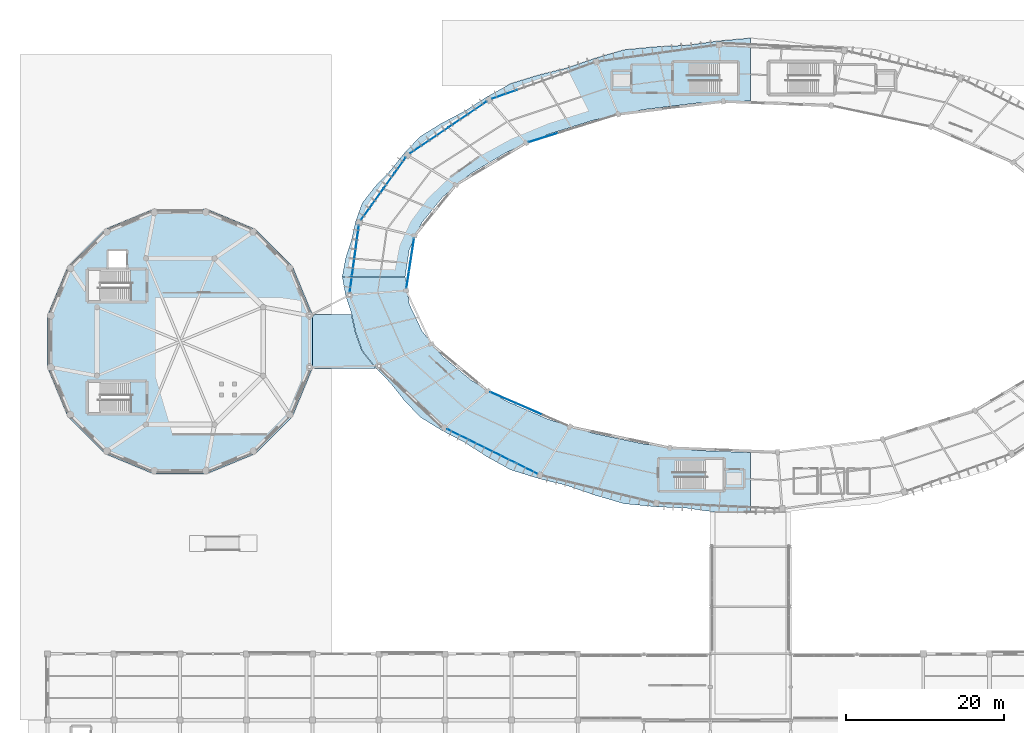
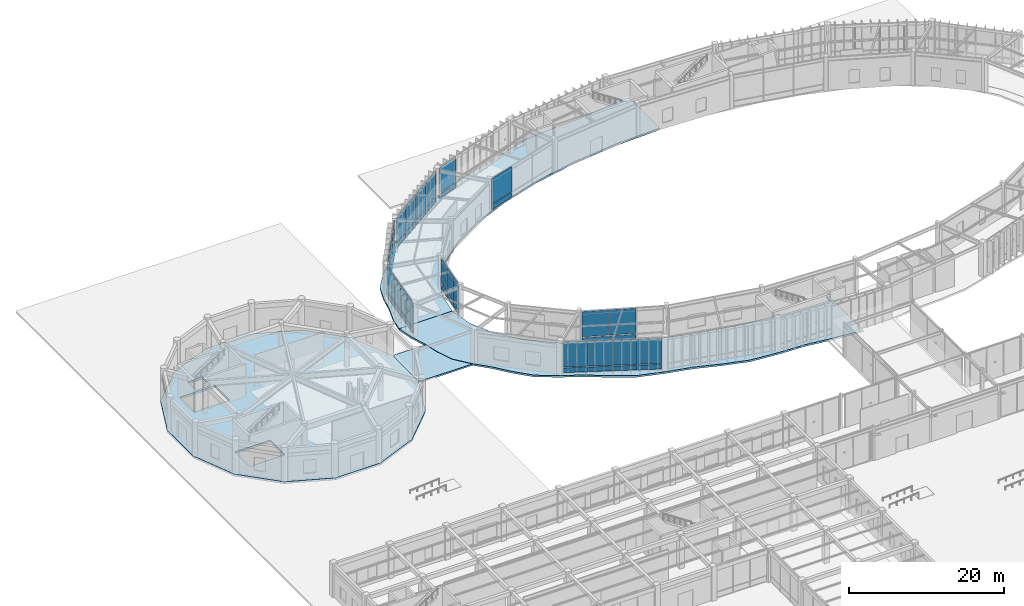
# One storey, part 114 of 157: 46 plates, 4 slabs, 8 elements without a shape of their own.
"""IFC4 building model written with IfcOpenShell, lengths in metres."""

from ifc_helpers import new_model, si_unit, direction, frame, origin, origin_2d, place, context, subcontext, project, spatial, polyline, rectangle, outline, extrude, material, layer, layer_set, type_object, element, aggregate, save


model = new_model("IFC4")

# Units and contexts
model_context = context("Model", 3, precision=1e-05, world=origin(), true_north=direction((0.0, 1.0)))
body_context = subcontext(model_context, "Body", "Model", "MODEL_VIEW")
ifc_project = project(units=[si_unit("LENGTHUNIT", "METRE"), si_unit("AREAUNIT", "SQUARE_METRE"), si_unit("VOLUMEUNIT", "CUBIC_METRE"), si_unit("PLANEANGLEUNIT", "RADIAN"), si_unit("MASSUNIT", "GRAM", prefix="KILO"), si_unit("THERMODYNAMICTEMPERATUREUNIT", "KELVIN"), si_unit("POWERUNIT", "WATT")], contexts=[model_context])

# Site, building, storey
site_placement = place(None, origin())
site = spatial("IfcSite", under=ifc_project, at=site_placement, CompositionType="ELEMENT")
building_placement = place(site_placement, origin())
building = spatial("IfcBuilding", under=site, at=building_placement, Name="Darbajah Civic Hall", CompositionType="ELEMENT")
storey_placement = place(building_placement, origin())
storey = spatial("IfcBuildingStorey", under=building, at=storey_placement, Name="L00", CompositionType="ELEMENT", Elevation=0.0)

# Curtain wall, plates
ifc_material_1 = material(Name="Anodised Bronze Aluminium and Low-E Glazing", Category="aluminium")
curtain_wall_type_1 = type_object("IfcCurtainWallType", Name="Unitised Curtain Wall CW-09 9700x5100", PredefinedType="USERDEFINED", material=ifc_material_1)
curtain_wall_1_placement = place(storey_placement, origin())
curtain_wall_1 = element("IfcCurtainWall", 1, at=curtain_wall_1_placement, inside=storey, type_object=curtain_wall_type_1, Name="L00 unitised curtain wall CW-V1O-L00-08", ObjectType="UNITISED CURTAIN WALL", PredefinedType="USERDEFINED")
ifc_material_2 = material(Name="Low-E Solar Control Double Glazing", Category="glass")
ifc_layer_1 = layer(ifc_material_2, 0.02392578125, Name="Low-E Solar Control Double Glazing")
ifc_layer_set_1 = layer_set([ifc_layer_1], Name="Low-E Solar Control Double Glazing")
plate_type_1 = type_object("IfcPlateType", Name="Solar Double Glazing 24mm", PredefinedType="CURTAIN_PANEL", material=ifc_layer_set_1)
plate_1_placement = place(storey_placement, frame((44.6875, 103.91796875, 0.10009765625), z_axis=(0.0, 0.0, 1.0), x_axis=(-0.582264874145, -0.812999149039, 0.0)))
plate_1 = element("IfcPlate", 2, at=plate_1_placement, type_object=plate_type_1, Name="CW-V1O-L00-08 glazed panel 1.1", PredefinedType="CURTAIN_PANEL", context=body_context, shape_type="SweptSolid", body=[
    extrude(rectangle(XDim=2.368408203125, YDim=0.02392578125, at=origin_2d()), origin(), (0.0, 0.0, 1.0), 0.800048828125),
])
plate_2_placement = place(storey_placement, frame((44.6875, 103.91796875, 1.0), z_axis=(0.0, 0.0, 1.0), x_axis=(-0.582264874145, -0.812999149039, 0.0)))
plate_2 = element("IfcPlate", 3, at=plate_2_placement, type_object=plate_type_1, Name="CW-V1O-L00-08 glazed panel 1.2", PredefinedType="CURTAIN_PANEL", context=body_context, shape_type="SweptSolid", body=[
    extrude(rectangle(XDim=2.368408203125, YDim=0.02392578125, at=origin_2d()), origin(), (0.0, 0.0, 1.0), 4.02001953125),
])
plate_3_placement = place(storey_placement, frame((43.270751953125, 101.939453125, 0.10009765625), z_axis=(0.0, 0.0, 1.0), x_axis=(-0.582264874145, -0.812999149039, 0.0)))
plate_3 = element("IfcPlate", 4, at=plate_3_placement, type_object=plate_type_1, Name="CW-V1O-L00-08 glazed panel 2.1", PredefinedType="CURTAIN_PANEL", context=body_context, shape_type="SweptSolid", body=[
    extrude(rectangle(XDim=2.368408203125, YDim=0.02392578125, at=origin_2d()), origin(), (0.0, 0.0, 1.0), 0.800048828125),
])
plate_4_placement = place(storey_placement, frame((43.270751953125, 101.939453125, 1.0), z_axis=(0.0, 0.0, 1.0), x_axis=(-0.582264874145, -0.812999149039, 0.0)))
plate_4 = element("IfcPlate", 5, at=plate_4_placement, type_object=plate_type_1, Name="CW-V1O-L00-08 glazed panel 2.2", PredefinedType="CURTAIN_PANEL", context=body_context, shape_type="SweptSolid", body=[
    extrude(rectangle(XDim=2.368408203125, YDim=0.02392578125, at=origin_2d()), origin(), (0.0, 0.0, 1.0), 4.02001953125),
])
plate_5_placement = place(storey_placement, frame((41.853759765625, 99.960693359375, 0.10009765625), z_axis=(0.0, 0.0, 1.0), x_axis=(-0.582264874145, -0.812999149039, 0.0)))
plate_5 = element("IfcPlate", 6, at=plate_5_placement, type_object=plate_type_1, Name="CW-V1O-L00-08 glazed panel 3.1", PredefinedType="CURTAIN_PANEL", context=body_context, shape_type="SweptSolid", body=[
    extrude(rectangle(XDim=2.368408203125, YDim=0.02392578125, at=origin_2d()), origin(), (0.0, 0.0, 1.0), 0.800048828125),
])
plate_6_placement = place(storey_placement, frame((41.853759765625, 99.960693359375, 1.0), z_axis=(0.0, 0.0, 1.0), x_axis=(-0.582264874145, -0.812999149039, 0.0)))
plate_6 = element("IfcPlate", 7, at=plate_6_placement, type_object=plate_type_1, Name="CW-V1O-L00-08 glazed panel 3.2", PredefinedType="CURTAIN_PANEL", context=body_context, shape_type="SweptSolid", body=[
    extrude(rectangle(XDim=2.368408203125, YDim=0.02392578125, at=origin_2d()), origin(), (0.0, 0.0, 1.0), 4.02001953125),
])
plate_7_placement = place(storey_placement, frame((40.43701171875, 97.982421875, 0.10009765625), z_axis=(0.0, 0.0, 1.0), x_axis=(-0.582264874145, -0.812999149039, 0.0)))
plate_7 = element("IfcPlate", 8, at=plate_7_placement, type_object=plate_type_1, Name="CW-V1O-L00-08 glazed panel 4.1", PredefinedType="CURTAIN_PANEL", context=body_context, shape_type="SweptSolid", body=[
    extrude(rectangle(XDim=2.368408203125, YDim=0.02392578125, at=origin_2d()), origin(), (0.0, 0.0, 1.0), 0.800048828125),
])
plate_8_placement = place(storey_placement, frame((40.43701171875, 97.982421875, 1.0), z_axis=(0.0, 0.0, 1.0), x_axis=(-0.582264874145, -0.812999149039, 0.0)))
plate_8 = element("IfcPlate", 9, at=plate_8_placement, type_object=plate_type_1, Name="CW-V1O-L00-08 glazed panel 4.2", PredefinedType="CURTAIN_PANEL", context=body_context, shape_type="SweptSolid", body=[
    extrude(rectangle(XDim=2.368408203125, YDim=0.02392578125, at=origin_2d()), origin(), (0.0, 0.0, 1.0), 4.02001953125),
])
aggregate(curtain_wall_1, [plate_1, plate_2, plate_3, plate_4, plate_5, plate_6, plate_7, plate_8])

curtain_wall_type_2 = type_object("IfcCurtainWallType", Name="Unitised Curtain Wall CW-07 11500x5100", PredefinedType="USERDEFINED", material=ifc_material_1)
curtain_wall_2_placement = place(storey_placement, origin())
curtain_wall_2 = element("IfcCurtainWall", 10, at=curtain_wall_2_placement, inside=storey, type_object=curtain_wall_type_2, Name="L00 unitised curtain wall CW-V1I-L00-06", ObjectType="UNITISED CURTAIN WALL", PredefinedType="USERDEFINED")
ifc_layer_2 = layer(ifc_material_2, 0.028076171875, Name="Low-E Solar Control Double Glazing")
ifc_layer_set_2 = layer_set([ifc_layer_2], Name="Low-E Solar Control Double Glazing")
plate_type_2 = type_object("IfcPlateType", Name="Solar Double Glazing 28mm", PredefinedType="CURTAIN_PANEL", material=ifc_layer_set_2)
plate_9_placement = place(storey_placement, frame((62.82568359375, 107.4345703125, 0.119873046875), z_axis=(0.0, 0.0, 1.0), x_axis=(-0.954604963513, -0.297874744877, 0.0)))
plate_9 = element("IfcPlate", 11, at=plate_9_placement, type_object=plate_type_2, Name="CW-V1I-L00-06 glazed panel 3.1", PredefinedType="CURTAIN_PANEL", context=body_context, shape_type="SweptSolid", body=[
    extrude(rectangle(XDim=3.775390625, YDim=0.028076171875, at=origin_2d()), origin(), (0.0, 0.0, 1.0), 0.77001953125),
])
plate_10_placement = place(storey_placement, frame((62.82568359375, 107.4345703125, 1.009765625), z_axis=(0.0, 0.0, 1.0), x_axis=(-0.954604963513, -0.297874744877, 0.0)))
plate_10 = element("IfcPlate", 12, at=plate_10_placement, type_object=plate_type_2, Name="CW-V1I-L00-06 glazed panel 3.2", PredefinedType="CURTAIN_PANEL", context=body_context, shape_type="SweptSolid", body=[
    extrude(rectangle(XDim=3.775390625, YDim=0.028076171875, at=origin_2d()), origin(), (0.0, 0.0, 1.0), 3.989990234375),
])
aggregate(curtain_wall_2, [plate_9, plate_10])

curtain_wall_type_3 = type_object("IfcCurtainWallType", Name="Unitised Curtain Wall CW-08 11800x5100", PredefinedType="USERDEFINED", material=ifc_material_1)
curtain_wall_3_placement = place(storey_placement, origin())
curtain_wall_3 = element("IfcCurtainWall", 13, at=curtain_wall_3_placement, inside=storey, type_object=curtain_wall_type_3, Name="L00 unitised curtain wall CW-V1O-L00-07", ObjectType="UNITISED CURTAIN WALL", PredefinedType="USERDEFINED")
plate_11_placement = place(storey_placement, frame((54.44873046875, 111.1962890625, 0.119873046875), z_axis=(0.0, 0.0, 1.0), x_axis=(-0.827962472047, -0.560783509816, 0.0)))
plate_11 = element("IfcPlate", 14, at=plate_11_placement, type_object=plate_type_2, Name="CW-V1O-L00-07 glazed panel 1.1", PredefinedType="CURTAIN_PANEL", context=body_context, shape_type="SweptSolid", body=[
    extrude(rectangle(XDim=2.870361328125, YDim=0.028076171875, at=origin_2d()), origin(), (0.0, 0.0, 1.0), 0.77001953125),
])
plate_12_placement = place(storey_placement, frame((54.44873046875, 111.1962890625, 1.009765625), z_axis=(0.0, 0.0, 1.0), x_axis=(-0.827962472047, -0.560783509816, 0.0)))
plate_12 = element("IfcPlate", 15, at=plate_12_placement, type_object=plate_type_2, Name="CW-V1O-L00-07 glazed panel 1.2", PredefinedType="CURTAIN_PANEL", context=body_context, shape_type="SweptSolid", body=[
    extrude(rectangle(XDim=2.870361328125, YDim=0.028076171875, at=origin_2d()), origin(), (0.0, 0.0, 1.0), 3.989990234375),
])
plate_13_placement = place(storey_placement, frame((52.013916015625, 109.54736328125, 0.119873046875), z_axis=(0.0, 0.0, 1.0), x_axis=(-0.827962472047, -0.560783509816, 0.0)))
plate_13 = element("IfcPlate", 16, at=plate_13_placement, type_object=plate_type_2, Name="CW-V1O-L00-07 glazed panel 2.1", PredefinedType="CURTAIN_PANEL", context=body_context, shape_type="SweptSolid", body=[
    extrude(rectangle(XDim=2.870361328125, YDim=0.028076171875, at=origin_2d()), origin(), (0.0, 0.0, 1.0), 0.77001953125),
])
plate_14_placement = place(storey_placement, frame((52.013916015625, 109.54736328125, 1.009765625), z_axis=(0.0, 0.0, 1.0), x_axis=(-0.827962472047, -0.560783509816, 0.0)))
plate_14 = element("IfcPlate", 17, at=plate_14_placement, type_object=plate_type_2, Name="CW-V1O-L00-07 glazed panel 2.2", PredefinedType="CURTAIN_PANEL", context=body_context, shape_type="SweptSolid", body=[
    extrude(rectangle(XDim=2.870361328125, YDim=0.028076171875, at=origin_2d()), origin(), (0.0, 0.0, 1.0), 3.989990234375),
])
plate_15_placement = place(storey_placement, frame((49.57958984375, 107.8984375, 0.119873046875), z_axis=(0.0, 0.0, 1.0), x_axis=(-0.827962472047, -0.560783509816, 0.0)))
plate_15 = element("IfcPlate", 18, at=plate_15_placement, type_object=plate_type_2, Name="CW-V1O-L00-07 glazed panel 3.1", PredefinedType="CURTAIN_PANEL", context=body_context, shape_type="SweptSolid", body=[
    extrude(rectangle(XDim=2.870361328125, YDim=0.028076171875, at=origin_2d()), origin(), (0.0, 0.0, 1.0), 0.77001953125),
])
plate_16_placement = place(storey_placement, frame((49.57958984375, 107.8984375, 1.009765625), z_axis=(0.0, 0.0, 1.0), x_axis=(-0.827962472047, -0.560783509816, 0.0)))
plate_16 = element("IfcPlate", 19, at=plate_16_placement, type_object=plate_type_2, Name="CW-V1O-L00-07 glazed panel 3.2", PredefinedType="CURTAIN_PANEL", context=body_context, shape_type="SweptSolid", body=[
    extrude(rectangle(XDim=2.870361328125, YDim=0.028076171875, at=origin_2d()), origin(), (0.0, 0.0, 1.0), 3.989990234375),
])
plate_17_placement = place(storey_placement, frame((47.144775390625, 106.24951171875, 0.119873046875), z_axis=(0.0, 0.0, 1.0), x_axis=(-0.827962472047, -0.560783509816, 0.0)))
plate_17 = element("IfcPlate", 20, at=plate_17_placement, type_object=plate_type_2, Name="CW-V1O-L00-07 glazed panel 4.1", PredefinedType="CURTAIN_PANEL", context=body_context, shape_type="SweptSolid", body=[
    extrude(rectangle(XDim=2.870361328125, YDim=0.028076171875, at=origin_2d()), origin(), (0.0, 0.0, 1.0), 0.77001953125),
])
plate_18_placement = place(storey_placement, frame((47.144775390625, 106.24951171875, 1.009765625), z_axis=(0.0, 0.0, 1.0), x_axis=(-0.827962472047, -0.560783509816, 0.0)))
plate_18 = element("IfcPlate", 21, at=plate_18_placement, type_object=plate_type_2, Name="CW-V1O-L00-07 glazed panel 4.2", PredefinedType="CURTAIN_PANEL", context=body_context, shape_type="SweptSolid", body=[
    extrude(rectangle(XDim=2.870361328125, YDim=0.028076171875, at=origin_2d()), origin(), (0.0, 0.0, 1.0), 3.989990234375),
])
aggregate(curtain_wall_3, [plate_11, plate_12, plate_13, plate_14, plate_15, plate_16, plate_17, plate_18])

curtain_wall_type_4 = type_object("IfcCurtainWallType", Name="Unitised Curtain Wall CW-11 6300x5100", PredefinedType="USERDEFINED", material=ifc_material_1)
curtain_wall_4_placement = place(storey_placement, origin())
curtain_wall_4 = element("IfcCurtainWall", 22, at=curtain_wall_4_placement, inside=storey, type_object=curtain_wall_type_4, Name="L00 unitised curtain wall CW-V1I-L00-09", ObjectType="UNITISED CURTAIN WALL", PredefinedType="USERDEFINED")
plate_19_placement = place(storey_placement, frame((46.295166015625, 93.614501953125, 0.119873046875), z_axis=(0.0, 0.0, 1.0), x_axis=(-0.152813355565, -0.98825506746, 0.0)))
plate_19 = element("IfcPlate", 23, at=plate_19_placement, type_object=plate_type_2, Name="CW-V1I-L00-09 glazed panel 1.1", PredefinedType="CURTAIN_PANEL", context=body_context, shape_type="SweptSolid", body=[
    extrude(rectangle(XDim=2.041259765625, YDim=0.028076171875, at=origin_2d()), origin(), (0.0, 0.0, 1.0), 0.77001953125),
])
plate_20_placement = place(storey_placement, frame((46.295166015625, 93.614501953125, 1.009765625), z_axis=(0.0, 0.0, 1.0), x_axis=(-0.152813355565, -0.98825506746, 0.0)))
plate_20 = element("IfcPlate", 24, at=plate_20_placement, type_object=plate_type_2, Name="CW-V1I-L00-09 glazed panel 1.2", PredefinedType="CURTAIN_PANEL", context=body_context, shape_type="SweptSolid", body=[
    extrude(rectangle(XDim=2.041259765625, YDim=0.028076171875, at=origin_2d()), origin(), (0.0, 0.0, 1.0), 3.989990234375),
])
plate_21_placement = place(storey_placement, frame((45.97265625, 91.528076171875, 0.119873046875), z_axis=(0.0, 0.0, 1.0), x_axis=(-0.152813355565, -0.98825506746, 0.0)))
plate_21 = element("IfcPlate", 25, at=plate_21_placement, type_object=plate_type_2, Name="CW-V1I-L00-09 glazed panel 2.1", PredefinedType="CURTAIN_PANEL", context=body_context, shape_type="SweptSolid", body=[
    extrude(rectangle(XDim=2.041259765625, YDim=0.028076171875, at=origin_2d()), origin(), (0.0, 0.0, 1.0), 0.77001953125),
])
plate_22_placement = place(storey_placement, frame((45.97265625, 91.528076171875, 1.009765625), z_axis=(0.0, 0.0, 1.0), x_axis=(-0.152813355565, -0.98825506746, 0.0)))
plate_22 = element("IfcPlate", 26, at=plate_22_placement, type_object=plate_type_2, Name="CW-V1I-L00-09 glazed panel 2.2", PredefinedType="CURTAIN_PANEL", context=body_context, shape_type="SweptSolid", body=[
    extrude(rectangle(XDim=2.041259765625, YDim=0.028076171875, at=origin_2d()), origin(), (0.0, 0.0, 1.0), 3.989990234375),
])
plate_23_placement = place(storey_placement, frame((45.650146484375, 89.441650390625, 0.119873046875), z_axis=(0.0, 0.0, 1.0), x_axis=(-0.152813355565, -0.98825506746, 0.0)))
plate_23 = element("IfcPlate", 27, at=plate_23_placement, type_object=plate_type_2, Name="CW-V1I-L00-09 glazed panel 3.1", PredefinedType="CURTAIN_PANEL", context=body_context, shape_type="SweptSolid", body=[
    extrude(rectangle(XDim=2.041259765625, YDim=0.028076171875, at=origin_2d()), origin(), (0.0, 0.0, 1.0), 0.77001953125),
])
plate_24_placement = place(storey_placement, frame((45.650146484375, 89.441650390625, 1.009765625), z_axis=(0.0, 0.0, 1.0), x_axis=(-0.152813355565, -0.98825506746, 0.0)))
plate_24 = element("IfcPlate", 28, at=plate_24_placement, type_object=plate_type_2, Name="CW-V1I-L00-09 glazed panel 3.2", PredefinedType="CURTAIN_PANEL", context=body_context, shape_type="SweptSolid", body=[
    extrude(rectangle(XDim=2.041259765625, YDim=0.028076171875, at=origin_2d()), origin(), (0.0, 0.0, 1.0), 3.989990234375),
])
aggregate(curtain_wall_4, [plate_19, plate_20, plate_21, plate_22, plate_23, plate_24])

curtain_wall_type_5 = type_object("IfcCurtainWallType", Name="Unitised Curtain Wall CW-01 10700x5100", PredefinedType="USERDEFINED", material=ifc_material_1)
curtain_wall_5_placement = place(storey_placement, origin())
curtain_wall_5 = element("IfcCurtainWall", 29, at=curtain_wall_5_placement, inside=storey, type_object=curtain_wall_type_5, Name="L00 unitised curtain wall CW-V1I-L00-12", ObjectType="UNITISED CURTAIN WALL", PredefinedType="USERDEFINED")
plate_25_placement = place(storey_placement, frame((57.74609375, 74.468505859375, 0.119873046875), z_axis=(0.0, 0.0, 1.0), x_axis=(0.917060074385, -0.398749068925, 0.0)))
plate_25 = element("IfcPlate", 30, at=plate_25_placement, type_object=plate_type_2, Name="CW-V1I-L00-12 glazed panel 1.1", PredefinedType="CURTAIN_PANEL", context=body_context, shape_type="SweptSolid", body=[
    extrude(rectangle(XDim=3.48291015625, YDim=0.028076171875, at=origin_2d()), origin(), (0.0, 0.0, 1.0), 0.77001953125),
])
plate_26_placement = place(storey_placement, frame((57.74609375, 74.468505859375, 1.009765625), z_axis=(0.0, 0.0, 1.0), x_axis=(0.917060074385, -0.398749068925, 0.0)))
plate_26 = element("IfcPlate", 31, at=plate_26_placement, type_object=plate_type_2, Name="CW-V1I-L00-12 glazed panel 1.2", PredefinedType="CURTAIN_PANEL", context=body_context, shape_type="SweptSolid", body=[
    extrude(rectangle(XDim=3.48291015625, YDim=0.028076171875, at=origin_2d()), origin(), (0.0, 0.0, 1.0), 3.989990234375),
])
plate_27_placement = place(storey_placement, frame((61.00439453125, 73.0517578125, 0.119873046875), z_axis=(0.0, 0.0, 1.0), x_axis=(0.917060074385, -0.398749068925, 0.0)))
plate_27 = element("IfcPlate", 32, at=plate_27_placement, type_object=plate_type_2, Name="CW-V1I-L00-12 glazed panel 2.1", PredefinedType="CURTAIN_PANEL", context=body_context, shape_type="SweptSolid", body=[
    extrude(rectangle(XDim=3.48291015625, YDim=0.028076171875, at=origin_2d()), origin(), (0.0, 0.0, 1.0), 0.77001953125),
])
plate_28_placement = place(storey_placement, frame((61.00439453125, 73.0517578125, 1.009765625), z_axis=(0.0, 0.0, 1.0), x_axis=(0.917060074385, -0.398749068925, 0.0)))
plate_28 = element("IfcPlate", 33, at=plate_28_placement, type_object=plate_type_2, Name="CW-V1I-L00-12 glazed panel 2.2", PredefinedType="CURTAIN_PANEL", context=body_context, shape_type="SweptSolid", body=[
    extrude(rectangle(XDim=3.48291015625, YDim=0.028076171875, at=origin_2d()), origin(), (0.0, 0.0, 1.0), 3.989990234375),
])
aggregate(curtain_wall_5, [plate_25, plate_26, plate_27, plate_28])

curtain_wall_type_6 = type_object("IfcCurtainWallType", Name="Unitised Curtain Wall CW-06 13700x5100", PredefinedType="USERDEFINED", material=ifc_material_1)
curtain_wall_6_placement = place(storey_placement, origin())
curtain_wall_6 = element("IfcCurtainWall", 34, at=curtain_wall_6_placement, inside=storey, type_object=curtain_wall_type_6, Name="L00 unitised curtain wall CW-V1O-L00-06", ObjectType="UNITISED CURTAIN WALL", PredefinedType="USERDEFINED")
ifc_layer_3 = layer(ifc_material_2, 0.031982421875, Name="Low-E Solar Control Double Glazing")
ifc_layer_set_3 = layer_set([ifc_layer_3], Name="Low-E Solar Control Double Glazing")
plate_type_3 = type_object("IfcPlateType", Name="Solar Double Glazing 32mm", PredefinedType="CURTAIN_PANEL", material=ifc_layer_set_3)
plate_29_placement = place(storey_placement, frame((57.9453125, 112.92919921875, 0.14013671875), z_axis=(0.0, 0.0, 1.0), x_axis=(-0.94252491309, -0.334135882844, 0.0)))
plate_29 = element("IfcPlate", 35, at=plate_29_placement, type_object=plate_type_3, Name="CW-V1O-L00-06 glazed panel 4.1", PredefinedType="CURTAIN_PANEL", context=body_context, shape_type="SweptSolid", body=[
    extrude(rectangle(XDim=3.34521484375, YDim=0.031982421875, at=origin_2d()), origin(), (0.0, 0.0, 1.0), 0.739990234375),
])
plate_30_placement = place(storey_placement, frame((57.9453125, 112.92919921875, 1.02001953125), z_axis=(0.0, 0.0, 1.0), x_axis=(-0.94252491309, -0.334135882844, 0.0)))
plate_30 = element("IfcPlate", 36, at=plate_30_placement, type_object=plate_type_3, Name="CW-V1O-L00-06 glazed panel 4.2", PredefinedType="CURTAIN_PANEL", context=body_context, shape_type="SweptSolid", body=[
    extrude(rectangle(XDim=3.34521484375, YDim=0.031982421875, at=origin_2d()), origin(), (0.0, 0.0, 1.0), 3.9599609375),
])
aggregate(curtain_wall_6, [plate_29, plate_30])

curtain_wall_type_7 = type_object("IfcCurtainWallType", Name="Unitised Curtain Wall CW-10 8500x5100", PredefinedType="USERDEFINED", material=ifc_material_1)
curtain_wall_7_placement = place(storey_placement, origin())
curtain_wall_7 = element("IfcCurtainWall", 37, at=curtain_wall_7_placement, inside=storey, type_object=curtain_wall_type_7, Name="L00 unitised curtain wall CW-V1O-L00-09", ObjectType="UNITISED CURTAIN WALL", PredefinedType="USERDEFINED")
plate_31_placement = place(storey_placement, frame((39.314453125, 95.256103515625, 0.14013671875), z_axis=(0.0, 0.0, 1.0), x_axis=(-0.134850930274, -0.990865897387, 0.0)))
plate_31 = element("IfcPlate", 38, at=plate_31_placement, type_object=plate_type_3, Name="CW-V1O-L00-09 glazed panel 1.1", PredefinedType="CURTAIN_PANEL", context=body_context, shape_type="SweptSolid", body=[
    extrude(rectangle(XDim=2.05810546875, YDim=0.031982421875, at=origin_2d()), origin(), (0.0, 0.0, 1.0), 0.739990234375),
])
plate_32_placement = place(storey_placement, frame((39.314453125, 95.256103515625, 1.02001953125), z_axis=(0.0, 0.0, 1.0), x_axis=(-0.134850930274, -0.990865897387, 0.0)))
plate_32 = element("IfcPlate", 39, at=plate_32_placement, type_object=plate_type_3, Name="CW-V1O-L00-09 glazed panel 1.2", PredefinedType="CURTAIN_PANEL", context=body_context, shape_type="SweptSolid", body=[
    extrude(rectangle(XDim=2.05810546875, YDim=0.031982421875, at=origin_2d()), origin(), (0.0, 0.0, 1.0), 3.9599609375),
])
plate_33_placement = place(storey_placement, frame((39.02685546875, 93.142822265625, 0.14013671875), z_axis=(0.0, 0.0, 1.0), x_axis=(-0.134850930274, -0.990865897387, 0.0)))
plate_33 = element("IfcPlate", 40, at=plate_33_placement, type_object=plate_type_3, Name="CW-V1O-L00-09 glazed panel 2.1", PredefinedType="CURTAIN_PANEL", context=body_context, shape_type="SweptSolid", body=[
    extrude(rectangle(XDim=2.05810546875, YDim=0.031982421875, at=origin_2d()), origin(), (0.0, 0.0, 1.0), 0.739990234375),
])
plate_34_placement = place(storey_placement, frame((39.02685546875, 93.142822265625, 1.02001953125), z_axis=(0.0, 0.0, 1.0), x_axis=(-0.134850930274, -0.990865897387, 0.0)))
plate_34 = element("IfcPlate", 41, at=plate_34_placement, type_object=plate_type_3, Name="CW-V1O-L00-09 glazed panel 2.2", PredefinedType="CURTAIN_PANEL", context=body_context, shape_type="SweptSolid", body=[
    extrude(rectangle(XDim=2.05810546875, YDim=0.031982421875, at=origin_2d()), origin(), (0.0, 0.0, 1.0), 3.9599609375),
])
plate_35_placement = place(storey_placement, frame((38.739501953125, 91.029296875, 0.14013671875), z_axis=(0.0, 0.0, 1.0), x_axis=(-0.134850930274, -0.990865897387, 0.0)))
plate_35 = element("IfcPlate", 42, at=plate_35_placement, type_object=plate_type_3, Name="CW-V1O-L00-09 glazed panel 3.1", PredefinedType="CURTAIN_PANEL", context=body_context, shape_type="SweptSolid", body=[
    extrude(rectangle(XDim=2.05810546875, YDim=0.031982421875, at=origin_2d()), origin(), (0.0, 0.0, 1.0), 0.739990234375),
])
plate_36_placement = place(storey_placement, frame((38.739501953125, 91.029296875, 1.02001953125), z_axis=(0.0, 0.0, 1.0), x_axis=(-0.134850930274, -0.990865897387, 0.0)))
plate_36 = element("IfcPlate", 43, at=plate_36_placement, type_object=plate_type_3, Name="CW-V1O-L00-09 glazed panel 3.2", PredefinedType="CURTAIN_PANEL", context=body_context, shape_type="SweptSolid", body=[
    extrude(rectangle(XDim=2.05810546875, YDim=0.031982421875, at=origin_2d()), origin(), (0.0, 0.0, 1.0), 3.9599609375),
])
plate_37_placement = place(storey_placement, frame((38.451904296875, 88.916015625, 0.14013671875), z_axis=(0.0, 0.0, 1.0), x_axis=(-0.134850930274, -0.990865897387, 0.0)))
plate_37 = element("IfcPlate", 44, at=plate_37_placement, type_object=plate_type_3, Name="CW-V1O-L00-09 glazed panel 4.1", PredefinedType="CURTAIN_PANEL", context=body_context, shape_type="SweptSolid", body=[
    extrude(rectangle(XDim=2.05810546875, YDim=0.031982421875, at=origin_2d()), origin(), (0.0, 0.0, 1.0), 0.739990234375),
])
plate_38_placement = place(storey_placement, frame((38.451904296875, 88.916015625, 1.02001953125), z_axis=(0.0, 0.0, 1.0), x_axis=(-0.134850930274, -0.990865897387, 0.0)))
plate_38 = element("IfcPlate", 45, at=plate_38_placement, type_object=plate_type_3, Name="CW-V1O-L00-09 glazed panel 4.2", PredefinedType="CURTAIN_PANEL", context=body_context, shape_type="SweptSolid", body=[
    extrude(rectangle(XDim=2.05810546875, YDim=0.031982421875, at=origin_2d()), origin(), (0.0, 0.0, 1.0), 3.9599609375),
])
aggregate(curtain_wall_7, [plate_31, plate_32, plate_33, plate_34, plate_35, plate_36, plate_37, plate_38])

curtain_wall_type_8 = type_object("IfcCurtainWallType", Name="Unitised Curtain Wall CW-12 12800x5100", PredefinedType="USERDEFINED", material=ifc_material_1)
curtain_wall_8_placement = place(storey_placement, origin())
curtain_wall_8 = element("IfcCurtainWall", 46, at=curtain_wall_8_placement, inside=storey, type_object=curtain_wall_type_8, Name="L00 unitised curtain wall CW-V1O-L00-12", ObjectType="UNITISED CURTAIN WALL", PredefinedType="USERDEFINED")
plate_39_placement = place(storey_placement, frame((52.08935546875, 69.766845703125, 0.14013671875), z_axis=(0.0, 0.0, 1.0), x_axis=(0.89656374724, -0.442914717678, 0.0)))
plate_39 = element("IfcPlate", 47, at=plate_39_placement, type_object=plate_type_3, Name="CW-V1O-L00-12 glazed panel 1.1", PredefinedType="CURTAIN_PANEL", context=body_context, shape_type="SweptSolid", body=[
    extrude(rectangle(XDim=3.119873046875, YDim=0.031982421875, at=origin_2d()), origin(), (0.0, 0.0, 1.0), 0.739990234375),
])
plate_40_placement = place(storey_placement, frame((52.08935546875, 69.766845703125, 1.02001953125), z_axis=(0.0, 0.0, 1.0), x_axis=(0.89656374724, -0.442914717678, 0.0)))
plate_40 = element("IfcPlate", 48, at=plate_40_placement, type_object=plate_type_3, Name="CW-V1O-L00-12 glazed panel 1.2", PredefinedType="CURTAIN_PANEL", context=body_context, shape_type="SweptSolid", body=[
    extrude(rectangle(XDim=3.119873046875, YDim=0.031982421875, at=origin_2d()), origin(), (0.0, 0.0, 1.0), 3.9599609375),
])
plate_41_placement = place(storey_placement, frame((54.95361328125, 68.351806640625, 0.14013671875), z_axis=(0.0, 0.0, 1.0), x_axis=(0.89656374724, -0.442914717678, 0.0)))
plate_41 = element("IfcPlate", 49, at=plate_41_placement, type_object=plate_type_3, Name="CW-V1O-L00-12 glazed panel 2.1", PredefinedType="CURTAIN_PANEL", context=body_context, shape_type="SweptSolid", body=[
    extrude(rectangle(XDim=3.119873046875, YDim=0.031982421875, at=origin_2d()), origin(), (0.0, 0.0, 1.0), 0.739990234375),
])
plate_42_placement = place(storey_placement, frame((54.95361328125, 68.351806640625, 1.02001953125), z_axis=(0.0, 0.0, 1.0), x_axis=(0.89656374724, -0.442914717678, 0.0)))
plate_42 = element("IfcPlate", 50, at=plate_42_placement, type_object=plate_type_3, Name="CW-V1O-L00-12 glazed panel 2.2", PredefinedType="CURTAIN_PANEL", context=body_context, shape_type="SweptSolid", body=[
    extrude(rectangle(XDim=3.119873046875, YDim=0.031982421875, at=origin_2d()), origin(), (0.0, 0.0, 1.0), 3.9599609375),
])
plate_43_placement = place(storey_placement, frame((57.818115234375, 66.936767578125, 0.14013671875), z_axis=(0.0, 0.0, 1.0), x_axis=(0.89656374724, -0.442914717678, 0.0)))
plate_43 = element("IfcPlate", 51, at=plate_43_placement, type_object=plate_type_3, Name="CW-V1O-L00-12 glazed panel 3.1", PredefinedType="CURTAIN_PANEL", context=body_context, shape_type="SweptSolid", body=[
    extrude(rectangle(XDim=3.119873046875, YDim=0.031982421875, at=origin_2d()), origin(), (0.0, 0.0, 1.0), 0.739990234375),
])
plate_44_placement = place(storey_placement, frame((57.818115234375, 66.936767578125, 1.02001953125), z_axis=(0.0, 0.0, 1.0), x_axis=(0.89656374724, -0.442914717678, 0.0)))
plate_44 = element("IfcPlate", 52, at=plate_44_placement, type_object=plate_type_3, Name="CW-V1O-L00-12 glazed panel 3.2", PredefinedType="CURTAIN_PANEL", context=body_context, shape_type="SweptSolid", body=[
    extrude(rectangle(XDim=3.119873046875, YDim=0.031982421875, at=origin_2d()), origin(), (0.0, 0.0, 1.0), 3.9599609375),
])
plate_45_placement = place(storey_placement, frame((60.6826171875, 65.521484375, 0.14013671875), z_axis=(0.0, 0.0, 1.0), x_axis=(0.89656374724, -0.442914717678, 0.0)))
plate_45 = element("IfcPlate", 53, at=plate_45_placement, type_object=plate_type_3, Name="CW-V1O-L00-12 glazed panel 4.1", PredefinedType="CURTAIN_PANEL", context=body_context, shape_type="SweptSolid", body=[
    extrude(rectangle(XDim=3.119873046875, YDim=0.031982421875, at=origin_2d()), origin(), (0.0, 0.0, 1.0), 0.739990234375),
])
plate_46_placement = place(storey_placement, frame((60.6826171875, 65.521484375, 1.02001953125), z_axis=(0.0, 0.0, 1.0), x_axis=(0.89656374724, -0.442914717678, 0.0)))
plate_46 = element("IfcPlate", 54, at=plate_46_placement, type_object=plate_type_3, Name="CW-V1O-L00-12 glazed panel 4.2", PredefinedType="CURTAIN_PANEL", context=body_context, shape_type="SweptSolid", body=[
    extrude(rectangle(XDim=3.119873046875, YDim=0.031982421875, at=origin_2d()), origin(), (0.0, 0.0, 1.0), 3.9599609375),
])
aggregate(curtain_wall_8, [plate_39, plate_40, plate_41, plate_42, plate_43, plate_44, plate_45, plate_46])

# Slabs
ifc_material_3 = material(Name="Concrete C45/55", Category="concrete")
ifc_layer_4 = layer(ifc_material_3, 0.239990234375, Name="Concrete C45/55")
ifc_layer_set_4 = layer_set([ifc_layer_4], Name="Concrete C45/55")
slab_type_1 = type_object("IfcSlabType", Name="Structural Floor Slab 240mm", PredefinedType="FLOOR", material=ifc_layer_set_4)
slab_1_placement = place(storey_placement, frame((0.0, 0.0, -0.239990234375)))
element("IfcSlab", 55, at=slab_1_placement, inside=storey, type_object=slab_type_1, Name="L00 Screened Link Walk W floor slab", PredefinedType="FLOOR", context=body_context, shape_type="SweptSolid", body=[
    extrude(outline(polyline([(41.550048828125, 78.199951171875), (33.85009765625, 78.199951171875), (33.60009765625, 78.449951171875), (33.60009765625, 84.75), (33.85009765625, 85.0), (38.505859375, 85.0), (38.99365234375, 82.79052734375), (38.995361328125, 82.784423828125), (39.8330078125, 80.4345703125), (39.8349609375, 80.4296875), (39.83740234375, 80.4248046875), (39.840576171875, 80.42041015625), (41.499267578125, 78.29638671875), (41.502685546875, 78.29248046875), (41.5712890625, 78.22119140625), (41.550048828125, 78.199951171875)])), origin(), (0.0, 0.0, 1.0), 0.239990234375),
])
ifc_layer_5 = layer(ifc_material_3, 0.280029296875, Name="Concrete C45/55")
ifc_layer_set_5 = layer_set([ifc_layer_5], Name="Concrete C45/55")
slab_type_2 = type_object("IfcSlabType", Name="Structural Floor Slab 280mm", PredefinedType="FLOOR", material=ifc_layer_set_5)
slab_2_placement = place(storey_placement, frame((0.0, 0.0, -0.280029296875)))
element("IfcSlab", 56, at=slab_2_placement, inside=storey, type_object=slab_type_2, Name="L00 Oval Administration Ring NW floor slab", PredefinedType="FLOOR", context=body_context, shape_type="SweptSolid", body=[
    extrude(outline(polyline([(89.10009765625, 120.052978515625), (85.060791015625, 119.6875), (81.089599609375, 119.141357421875), (77.082275390625, 118.95166015625), (73.107421875, 118.572265625), (69.3994140625, 117.497802734375), (65.8525390625, 116.26904296875), (62.201904296875, 115.3623046875), (58.680419921875, 114.275146484375), (55.66650390625, 112.596923828125), (52.89111328125, 110.805908203125), (49.954345703125, 109.2705078125), (47.23095703125, 107.582275390625), (45.2060546875, 105.464599609375), (43.47412109375, 103.28662109375), (41.538818359375, 101.272705078125), (39.8798828125, 99.148681640625), (39.04248046875, 96.798583984375), (38.5234375, 94.447265625), (37.77880859375, 92.152099609375), (37.346923828125, 89.800048828125), (45.320068359375, 89.800048828125), (45.85888671875, 93.285400390625), (47.462646484375, 96.684814453125), (50.091796875, 99.914794921875), (53.68115234375, 102.89599609375), (58.142822265625, 105.55419921875), (63.36669921875, 107.824951171875), (69.224365234375, 109.651611328125), (75.5712890625, 110.989501953125), (82.251220703125, 111.8056640625), (89.10009765625, 112.080078125), (89.10009765625, 120.052978515625)])), origin(), (0.0, 0.0, 1.0), 0.280029296875),
])
slab_3_placement = place(storey_placement, frame((0.0, 0.0, -0.280029296875)))
element("IfcSlab", 57, at=slab_3_placement, inside=storey, type_object=slab_type_2, Name="L00 Oval Administration Ring SW floor slab", PredefinedType="FLOOR", context=body_context, shape_type="SweptSolid", body=[
    extrude(outline(polyline([(37.346923828125, 89.800048828125), (37.77880859375, 87.44775390625), (38.5234375, 85.15283203125), (39.04248046875, 82.80126953125), (39.8798828125, 80.451416015625), (41.538818359375, 78.3271484375), (43.47412109375, 76.313232421875), (45.2060546875, 74.135498046875), (47.23095703125, 72.017578125), (49.954345703125, 70.32958984375), (52.89111328125, 68.7939453125), (55.66650390625, 67.0029296875), (58.680419921875, 65.32470703125), (62.201904296875, 64.23779296875), (65.8525390625, 63.330810546875), (69.3994140625, 62.10205078125), (73.107421875, 61.027587890625), (77.082275390625, 60.648193359375), (81.089599609375, 60.458740234375), (85.060791015625, 59.912353515625), (89.10009765625, 59.547119140625), (89.10009765625, 67.52001953125), (82.251220703125, 67.794189453125), (75.5712890625, 68.610595703125), (69.224365234375, 69.948486328125), (63.36669921875, 71.775146484375), (58.142822265625, 74.045654296875), (53.68115234375, 76.7041015625), (50.091796875, 79.68505859375), (47.462646484375, 82.9150390625), (45.85888671875, 86.314697265625), (45.320068359375, 89.800048828125), (37.346923828125, 89.800048828125)])), origin(), (0.0, 0.0, 1.0), 0.280029296875),
])
ifc_layer_6 = layer(ifc_material_3, 0.320068359375, Name="Concrete C45/55")
ifc_layer_set_6 = layer_set([ifc_layer_6], Name="Concrete C45/55")
slab_type_3 = type_object("IfcSlabType", Name="Structural Floor Slab 320mm", PredefinedType="FLOOR", material=ifc_layer_set_6)
slab_4_placement = place(storey_placement, frame((0.0, 0.0, -0.320068359375)))
element("IfcSlab", 58, at=slab_4_placement, inside=storey, type_object=slab_type_3, Name="L00 Council Chamber drum floor slab", PredefinedType="FLOOR", context=body_context, shape_type="SweptSolid", body=[
    extrude(outline(polyline([(33.60009765625, 84.941650390625), (31.04248046875, 91.116455078125), (26.31640625, 95.84228515625), (20.1416015625, 98.39990234375), (13.458251953125, 98.39990234375), (7.28369140625, 95.84228515625), (2.5576171875, 91.116455078125), (0.0, 84.941650390625), (0.0, 78.25830078125), (2.5576171875, 72.08349609375), (7.28369140625, 67.357666015625), (13.458251953125, 64.800048828125), (20.1416015625, 64.800048828125), (26.31640625, 67.357666015625), (31.04248046875, 72.08349609375), (33.60009765625, 78.25830078125), (33.60009765625, 84.941650390625)]), holes=[polyline([(5.139892578125, 90.580078125), (10.419921875, 90.580078125), (10.419921875, 86.820068359375), (5.139892578125, 86.820068359375), (5.139892578125, 90.580078125)]), polyline([(7.75, 93.050048828125), (9.949951171875, 93.050048828125), (9.949951171875, 90.949951171875), (7.75, 90.949951171875), (7.75, 93.050048828125)]), polyline([(5.139892578125, 76.3798828125), (10.419921875, 76.3798828125), (10.419921875, 72.6201171875), (5.139892578125, 72.6201171875), (5.139892578125, 76.3798828125)])]), origin(), (0.0, 0.0, 1.0), 0.320068359375),
])

save(model, "model.ifc")
